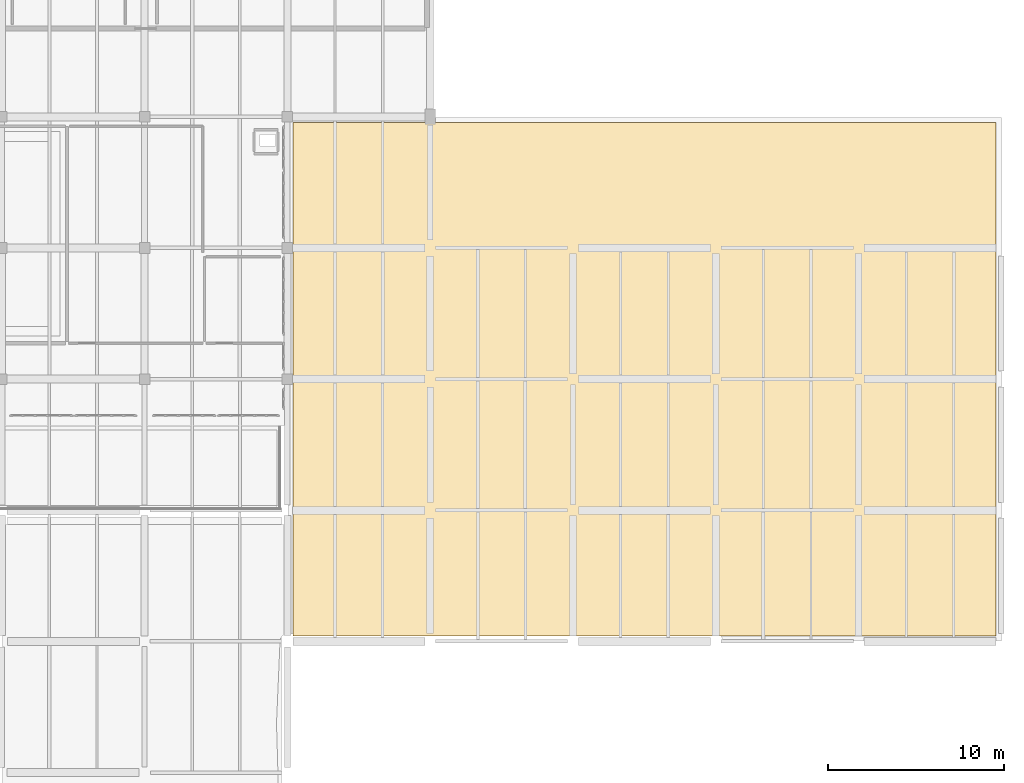
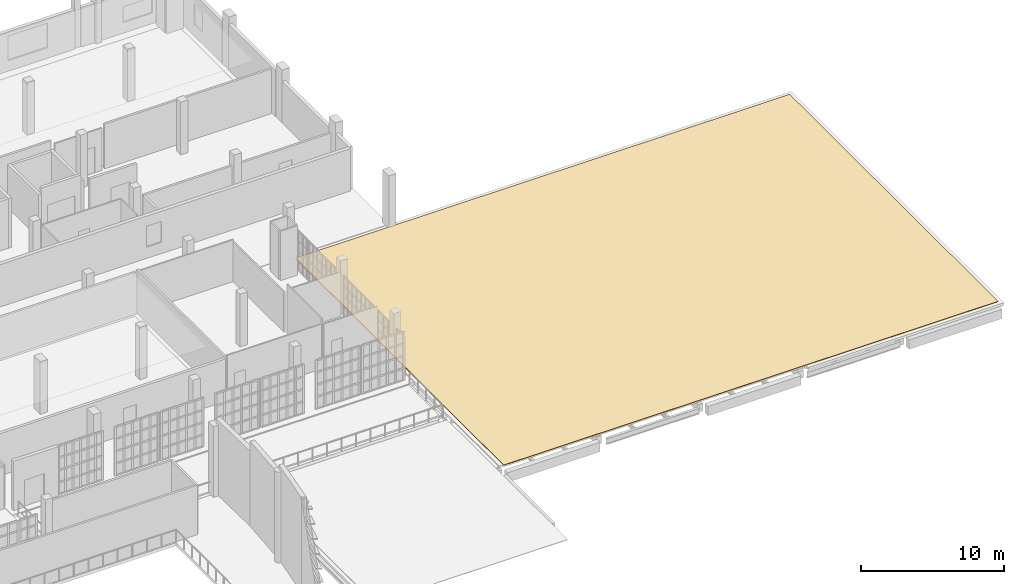
# One storey, part 73 of 73: 1 covering.
"""IFC4 building model written with IfcOpenShell, lengths in metres."""

from ifc_helpers import new_model, si_unit, direction, frame, origin, place, context, subcontext, project, spatial, polyline, outline, extrude, material, layer, layer_set, type_object, element, save


model = new_model("IFC4")

# Units and contexts
model_context = context("Model", 3, precision=1e-05, world=origin(), true_north=direction((0.0, 1.0)))
body_context = subcontext(model_context, "Body", "Model", "MODEL_VIEW")
ifc_project = project(units=[si_unit("LENGTHUNIT", "METRE"), si_unit("AREAUNIT", "SQUARE_METRE"), si_unit("VOLUMEUNIT", "CUBIC_METRE"), si_unit("PLANEANGLEUNIT", "RADIAN"), si_unit("MASSUNIT", "GRAM", prefix="KILO")], contexts=[model_context])

# Site, building, storey
site_placement = place(None, origin())
site = spatial("IfcSite", under=ifc_project, at=site_placement, CompositionType="ELEMENT")
building_placement = place(site_placement, origin())
building = spatial("IfcBuilding", under=site, at=building_placement, Name="Kaelora Sail Theatre", CompositionType="ELEMENT")
storey_placement = place(building_placement, frame((0.0, 0.0, 10.199951171875)))
storey = spatial("IfcBuildingStorey", under=building, at=storey_placement, Name="L02", CompositionType="ELEMENT", Elevation=10.199951171875)

# Covering
ifc_material = material(Name="Standing-seam titanium-zinc and TPO membrane", Category="metal")
ifc_layer = layer(ifc_material, 0.044921875)
ifc_layer_set = layer_set([ifc_layer], Name="Standing-seam titanium-zinc and TPO membrane")
covering_type = type_object("IfcCoveringType", Name="ARC-COV-RFM", PredefinedType="ROOFING", material=ifc_layer_set)
covering_placement = place(storey_placement, origin())
element("IfcCovering", 1, at=covering_placement, inside=storey, type_object=covering_type, Name="Standing-seam titanium-zinc roofing FE1", PredefinedType="ROOFING", context=body_context, shape_type="SweptSolid", body=[
    extrude(outline(polyline([(123.330078125, 53.89990234375), (163.199951171875, 53.89990234375), (163.199951171875, 83.010009765625), (123.330078125, 83.010009765625), (123.330078125, 53.89990234375)])), origin(), (0.0, 0.0, 1.0), 0.045166015625),
])

save(model, "model.ifc")
